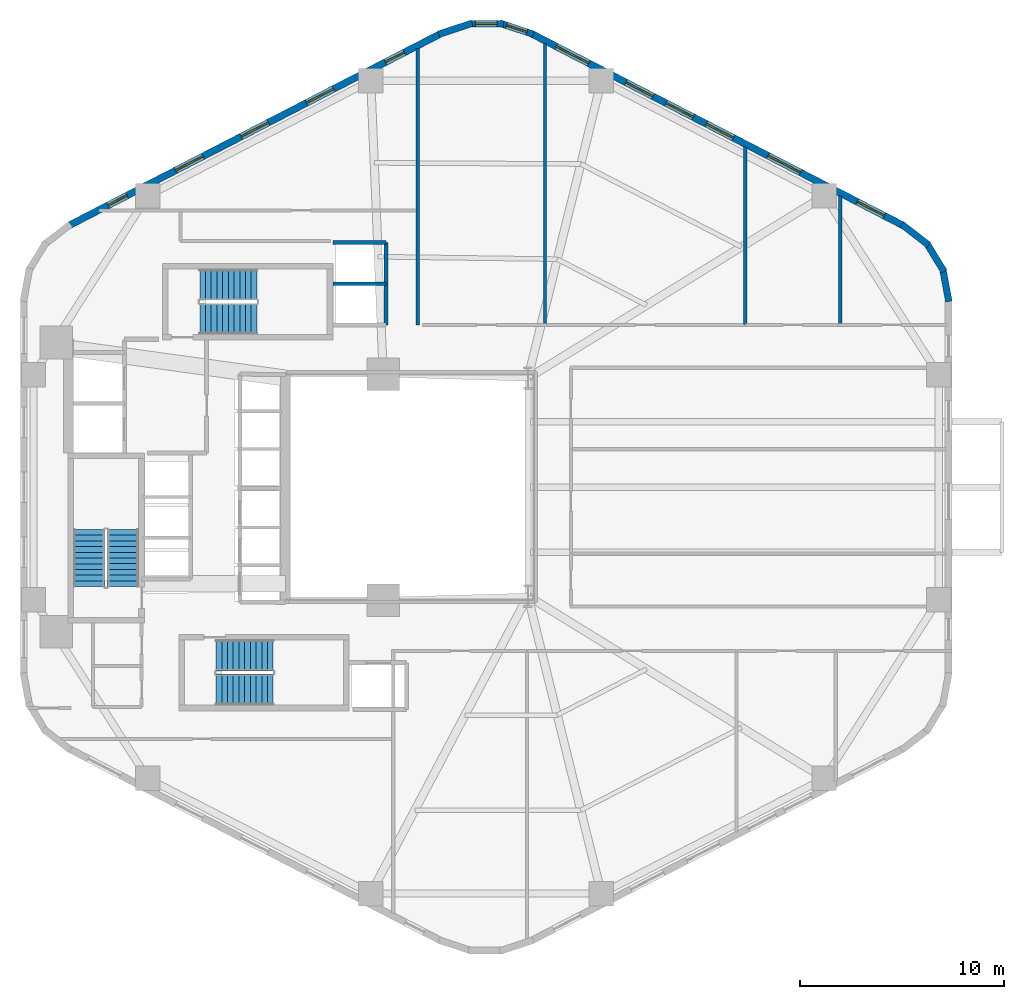
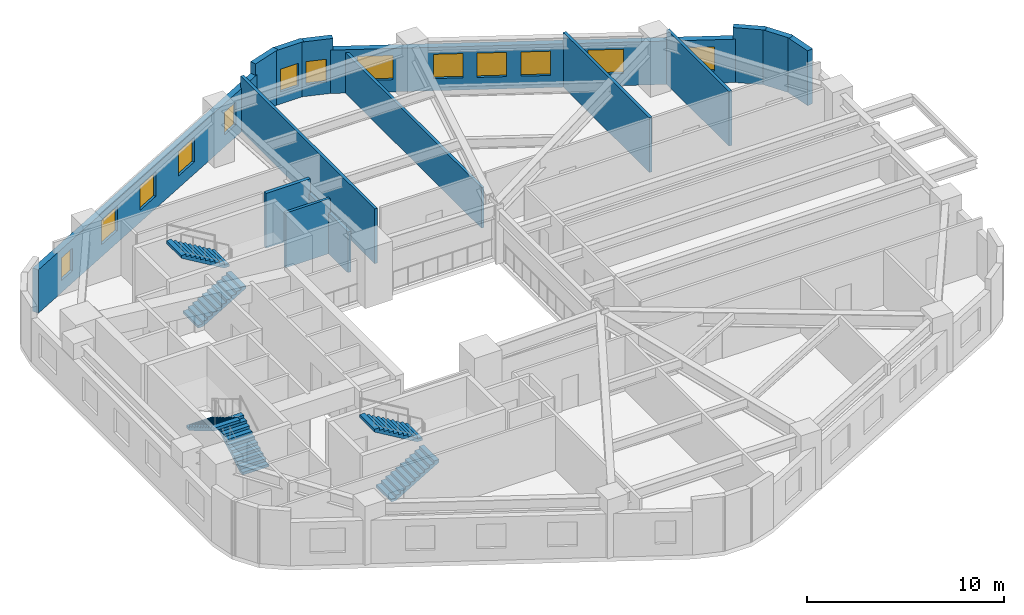
# One storey, part 5 of 6: 15 walls, 13 windows, 6 stair flights, 13 openings, 3 elements without a shape of their own.
"""IFC4 building model written with IfcOpenShell, lengths in metres."""

from ifc_helpers import new_model, si_unit, direction, frame, frame_2d, origin, place, context, subcontext, project, spatial, polyline, rectangle, outline, extrude, material, layer, layer_set, type_object, element, fill, aggregate, save


model = new_model("IFC4")

# Units and contexts
model_context = context("Model", 3, precision=1e-05, world=origin(), true_north=direction((0.0, 1.0)))
body_context = subcontext(model_context, "Body", "Model", "MODEL_VIEW")
ifc_project = project(units=[si_unit("LENGTHUNIT", "METRE"), si_unit("AREAUNIT", "SQUARE_METRE"), si_unit("VOLUMEUNIT", "CUBIC_METRE"), si_unit("PLANEANGLEUNIT", "RADIAN"), si_unit("MASSUNIT", "GRAM", prefix="KILO"), si_unit("THERMODYNAMICTEMPERATUREUNIT", "KELVIN"), si_unit("POWERUNIT", "WATT")], contexts=[model_context])

# Site, building, storey
site_placement = place(None, origin())
site = spatial("IfcSite", under=ifc_project, at=site_placement, CompositionType="ELEMENT")
building_placement = place(site_placement, origin())
building = spatial("IfcBuilding", under=site, at=building_placement, Name="Skarre Station Tower", CompositionType="ELEMENT")
storey_placement = place(building_placement, frame((0.0, 0.0, 67.14990234375)))
storey = spatial("IfcBuildingStorey", under=building, at=storey_placement, Name="L17", CompositionType="ELEMENT", Elevation=67.14990234375)

# Wall, openings, windows
ifc_material_1 = material(Name="Precast concrete C45/55", Category="concrete")
ifc_layer_1 = layer(ifc_material_1, 0.340087890625, Name="Precast concrete C45/55")
ifc_layer_set_1 = layer_set([ifc_layer_1], Name="Precast concrete C45/55")
wall_type_1 = type_object("IfcWallType", Name="Nordic Honed Precast Facet Wall 340", PredefinedType="STANDARD", material=ifc_layer_set_1)
wall_1_placement = place(storey_placement, frame((39.631103515625, 46.257080078125, 0.0), z_axis=(0.0, 0.0, 1.0), x_axis=(0.888634413993, -0.458616264721, 0.0)))
wall_1 = element("IfcWall", 1, at=wall_1_placement, inside=storey, type_object=wall_type_1, Name="L17 Facet 0 Nordic Precast Masonry Wall", PredefinedType="STANDARD", context=body_context, shape_type="SweptSolid", body=[
    extrude(rectangle(XDim=20.53125, YDim=0.340087890625, at=frame_2d((10.265625, 0.0))), origin(), (0.0, 0.0, 1.0), 2.68408203125),
])
opening_1_placement = place(wall_1_placement, frame((1.366943359375, 0.0, 0.75)))
opening_1 = element("IfcOpeningElement", 2, at=opening_1_placement, cuts=wall_1, Name="Opening WN-Z1A", PredefinedType="OPENING", context=body_context, shape_type="SweptSolid", body=[
    extrude(rectangle(XDim=1.800048828125, YDim=1.5, at=frame_2d((0.89990234375, 0.75))), frame((0.0, 0.179931640625, 0.0), z_axis=(0.0, -1.0, 0.0), x_axis=(1.0, 0.0, 0.0)), (0.0, 0.0, 1.0), 0.360107421875),
])
opening_2_placement = place(wall_1_placement, frame((5.20703125, 0.0, 0.75)))
opening_2 = element("IfcOpeningElement", 3, at=opening_2_placement, cuts=wall_1, Name="Opening WN-Z1B", PredefinedType="OPENING", context=body_context, shape_type="SweptSolid", body=[
    extrude(rectangle(XDim=1.5, YDim=1.5, at=frame_2d((0.75, 0.75))), frame((0.0, 0.179931640625, 0.0), z_axis=(0.0, -1.0, 0.0), x_axis=(1.0, 0.0, 0.0)), (0.0, 0.0, 1.0), 0.360107421875),
])
opening_3_placement = place(wall_1_placement, frame((7.428955078125, 0.0, 0.75)))
opening_3 = element("IfcOpeningElement", 4, at=opening_3_placement, cuts=wall_1, Name="Opening WN-Z1B", PredefinedType="OPENING", context=body_context, shape_type="SweptSolid", body=[
    extrude(rectangle(XDim=1.5, YDim=1.5, at=frame_2d((0.75, 0.75))), frame((0.0, 0.179931640625, 0.0), z_axis=(0.0, -1.0, 0.0), x_axis=(1.0, 0.0, 0.0)), (0.0, 0.0, 1.0), 0.360107421875),
])
opening_4_placement = place(wall_1_placement, frame((9.64990234375, 0.0, 0.75)))
opening_4 = element("IfcOpeningElement", 5, at=opening_4_placement, cuts=wall_1, Name="Opening WN-Z1B", PredefinedType="OPENING", context=body_context, shape_type="SweptSolid", body=[
    extrude(rectangle(XDim=1.5, YDim=1.5, at=frame_2d((0.75, 0.75))), frame((0.0, 0.179931640625, 0.0), z_axis=(0.0, -1.0, 0.0), x_axis=(1.0, 0.0, 0.0)), (0.0, 0.0, 1.0), 0.360107421875),
])
opening_5_placement = place(wall_1_placement, frame((13.06005859375, 0.0, 0.75)))
opening_5 = element("IfcOpeningElement", 6, at=opening_5_placement, cuts=wall_1, Name="Opening WN-Z1A", PredefinedType="OPENING", context=body_context, shape_type="SweptSolid", body=[
    extrude(rectangle(XDim=1.800048828125, YDim=1.5, at=frame_2d((0.89990234375, 0.75))), frame((0.0, 0.179931640625, 0.0), z_axis=(0.0, -1.0, 0.0), x_axis=(1.0, 0.0, 0.0)), (0.0, 0.0, 1.0), 0.360107421875),
])
opening_6_placement = place(wall_1_placement, frame((17.97998046875, 0.0, 0.75)))
opening_6 = element("IfcOpeningElement", 7, at=opening_6_placement, cuts=wall_1, Name="Opening WN-Z1B", PredefinedType="OPENING", context=body_context, shape_type="SweptSolid", body=[
    extrude(rectangle(XDim=1.5, YDim=1.5, at=frame_2d((0.75, 0.75))), frame((0.0, 0.179931640625, 0.0), z_axis=(0.0, -1.0, 0.0), x_axis=(1.0, 0.0, 0.0)), (0.0, 0.0, 1.0), 0.360107421875),
])
ifc_material_2 = material(Name="Low-Iron Triple Glazing with Bronze Anodized Frame", Category="glass")
window_type_1 = type_object("IfcWindowType", Name="Nordic Punched Triple-Glazed Window 1500x1500", PartitioningType="SINGLE_PANEL", PredefinedType="WINDOW", material=ifc_material_2)
window_1_placement = place(opening_2_placement, origin())
window_1 = element("IfcWindow", 8, at=window_1_placement, inside=storey, type_object=window_type_1, Name="L17 Facade Window WL-FAC-L17-F0-2", OverallHeight=1.5, OverallWidth=1.5, PartitioningType="SINGLE_PANEL", PredefinedType="WINDOW", context=body_context, shape_type="SweptSolid", body=[
    extrude(rectangle(XDim=1.5, YDim=1.5, at=frame_2d((0.75, 0.75))), frame((0.0, 0.030029296875, 0.0), z_axis=(0.0, -1.0, 0.0), x_axis=(1.0, 0.0, 0.0)), (0.0, 0.0, 1.0), 0.06005859375),
])
fill(opening_2, window_1)
window_2_placement = place(opening_3_placement, origin())
window_2 = element("IfcWindow", 9, at=window_2_placement, inside=storey, type_object=window_type_1, Name="L17 Facade Window WL-FAC-L17-F0-3", OverallHeight=1.5, OverallWidth=1.5, PartitioningType="SINGLE_PANEL", PredefinedType="WINDOW", context=body_context, shape_type="SweptSolid", body=[
    extrude(rectangle(XDim=1.5, YDim=1.5, at=frame_2d((0.75, 0.75))), frame((0.0, 0.030029296875, 0.0), z_axis=(0.0, -1.0, 0.0), x_axis=(1.0, 0.0, 0.0)), (0.0, 0.0, 1.0), 0.06005859375),
])
fill(opening_3, window_2)
window_3_placement = place(opening_4_placement, origin())
window_3 = element("IfcWindow", 10, at=window_3_placement, inside=storey, type_object=window_type_1, Name="L17 Facade Window WL-FAC-L17-F0-4", OverallHeight=1.5, OverallWidth=1.5, PartitioningType="SINGLE_PANEL", PredefinedType="WINDOW", context=body_context, shape_type="SweptSolid", body=[
    extrude(rectangle(XDim=1.5, YDim=1.5, at=frame_2d((0.75, 0.75))), frame((0.0, 0.030029296875, 0.0), z_axis=(0.0, -1.0, 0.0), x_axis=(1.0, 0.0, 0.0)), (0.0, 0.0, 1.0), 0.06005859375),
])
fill(opening_4, window_3)
window_4_placement = place(opening_6_placement, origin())
window_4 = element("IfcWindow", 11, at=window_4_placement, inside=storey, type_object=window_type_1, Name="L17 Facade Window WL-FAC-L17-F0-6", OverallHeight=1.5, OverallWidth=1.5, PartitioningType="SINGLE_PANEL", PredefinedType="WINDOW", context=body_context, shape_type="SweptSolid", body=[
    extrude(rectangle(XDim=1.5, YDim=1.5, at=frame_2d((0.75, 0.75))), frame((0.0, 0.030029296875, 0.0), z_axis=(0.0, -1.0, 0.0), x_axis=(1.0, 0.0, 0.0)), (0.0, 0.0, 1.0), 0.06005859375),
])
fill(opening_6, window_4)
window_type_2 = type_object("IfcWindowType", Name="Nordic Punched Triple-Glazed Window 1800x1500", PartitioningType="SINGLE_PANEL", PredefinedType="WINDOW", material=ifc_material_2)
window_5_placement = place(opening_1_placement, origin())
window_5 = element("IfcWindow", 12, at=window_5_placement, inside=storey, type_object=window_type_2, Name="L17 Facade Window WL-FAC-L17-F0-1", OverallHeight=1.5, OverallWidth=1.800048828125, PartitioningType="SINGLE_PANEL", PredefinedType="WINDOW", context=body_context, shape_type="SweptSolid", body=[
    extrude(rectangle(XDim=1.800048828125, YDim=1.5, at=frame_2d((0.89990234375, 0.75))), frame((0.0, 0.030029296875, 0.0), z_axis=(0.0, -1.0, 0.0), x_axis=(1.0, 0.0, 0.0)), (0.0, 0.0, 1.0), 0.06005859375),
])
fill(opening_1, window_5)
window_6_placement = place(opening_5_placement, origin())
window_6 = element("IfcWindow", 13, at=window_6_placement, inside=storey, type_object=window_type_2, Name="L17 Facade Window WL-FAC-L17-F0-5", OverallHeight=1.5, OverallWidth=1.800048828125, PartitioningType="SINGLE_PANEL", PredefinedType="WINDOW", context=body_context, shape_type="SweptSolid", body=[
    extrude(rectangle(XDim=1.800048828125, YDim=1.5, at=frame_2d((0.89990234375, 0.75))), frame((0.0, 0.030029296875, 0.0), z_axis=(0.0, -1.0, 0.0), x_axis=(1.0, 0.0, 0.0)), (0.0, 0.0, 1.0), 0.06005859375),
])
fill(opening_5, window_6)

wall_2_placement = place(storey_placement, frame((16.924072265625, 36.841064453125, 0.0), z_axis=(0.0, 0.0, 1.0), x_axis=(0.888634413993, 0.458616264721, 0.0)))
wall_2 = element("IfcWall", 14, at=wall_2_placement, inside=storey, type_object=wall_type_1, Name="L17 Facet 1 Nordic Precast Masonry Wall", PredefinedType="STANDARD", context=body_context, shape_type="SweptSolid", body=[
    extrude(rectangle(XDim=20.53125, YDim=0.340087890625, at=frame_2d((10.265625, 0.0))), origin(), (0.0, 0.0, 1.0), 2.68408203125),
])
opening_7_placement = place(wall_2_placement, frame((2.160888671875, 0.0, 0.75)))
opening_7 = element("IfcOpeningElement", 15, at=opening_7_placement, cuts=wall_2, Name="Opening WN-SLT", PredefinedType="OPENING", context=body_context, shape_type="SweptSolid", body=[
    extrude(rectangle(XDim=1.050048828125, YDim=1.39990234375, at=frame_2d((0.52490234375, 0.699951171875))), frame((0.0, 0.179931640625, 0.0), z_axis=(0.0, -1.0, 0.0), x_axis=(1.0, 0.0, 0.0)), (0.0, 0.0, 1.0), 0.360107421875),
])
opening_8_placement = place(wall_2_placement, frame((5.903076171875, 0.0, 0.75)))
opening_8 = element("IfcOpeningElement", 16, at=opening_8_placement, cuts=wall_2, Name="Opening WN-Z1B", PredefinedType="OPENING", context=body_context, shape_type="SweptSolid", body=[
    extrude(rectangle(XDim=1.5, YDim=1.5, at=frame_2d((0.75, 0.75))), frame((0.0, 0.179931640625, 0.0), z_axis=(0.0, -1.0, 0.0), x_axis=(1.0, 0.0, 0.0)), (0.0, 0.0, 1.0), 0.360107421875),
])
opening_9_placement = place(wall_2_placement, frame((9.51611328125, 0.0, 0.75)))
opening_9 = element("IfcOpeningElement", 17, at=opening_9_placement, cuts=wall_2, Name="Opening WN-Z1B", PredefinedType="OPENING", context=body_context, shape_type="SweptSolid", body=[
    extrude(rectangle(XDim=1.5, YDim=1.5, at=frame_2d((0.75, 0.75))), frame((0.0, 0.179931640625, 0.0), z_axis=(0.0, -1.0, 0.0), x_axis=(1.0, 0.0, 0.0)), (0.0, 0.0, 1.0), 0.360107421875),
])
opening_10_placement = place(wall_2_placement, frame((13.12890625, 0.0, 0.75)))
opening_10 = element("IfcOpeningElement", 18, at=opening_10_placement, cuts=wall_2, Name="Opening WN-Z1B", PredefinedType="OPENING", context=body_context, shape_type="SweptSolid", body=[
    extrude(rectangle(XDim=1.5, YDim=1.5, at=frame_2d((0.75, 0.75))), frame((0.0, 0.179931640625, 0.0), z_axis=(0.0, -1.0, 0.0), x_axis=(1.0, 0.0, 0.0)), (0.0, 0.0, 1.0), 0.360107421875),
])
opening_11_placement = place(wall_2_placement, frame((17.47607421875, 0.0, 0.75)))
opening_11 = element("IfcOpeningElement", 19, at=opening_11_placement, cuts=wall_2, Name="Opening WN-SLT", PredefinedType="OPENING", context=body_context, shape_type="SweptSolid", body=[
    extrude(rectangle(XDim=1.050048828125, YDim=1.39990234375, at=frame_2d((0.52490234375, 0.699951171875))), frame((0.0, 0.179931640625, 0.0), z_axis=(0.0, -1.0, 0.0), x_axis=(1.0, 0.0, 0.0)), (0.0, 0.0, 1.0), 0.360107421875),
])
window_type_3 = type_object("IfcWindowType", Name="Nordic Corner Slot Window 1050x1400", PartitioningType="SINGLE_PANEL", PredefinedType="WINDOW", material=ifc_material_2)
window_7_placement = place(opening_7_placement, origin())
window_7 = element("IfcWindow", 20, at=window_7_placement, inside=storey, type_object=window_type_3, Name="L17 Facade Window WL-FAC-L17-F1-1", OverallHeight=1.39990234375, OverallWidth=1.050048828125, PartitioningType="SINGLE_PANEL", PredefinedType="WINDOW", context=body_context, shape_type="SweptSolid", body=[
    extrude(rectangle(XDim=1.050048828125, YDim=1.39990234375, at=frame_2d((0.52490234375, 0.699951171875))), frame((0.0, 0.030029296875, 0.0), z_axis=(0.0, -1.0, 0.0), x_axis=(1.0, 0.0, 0.0)), (0.0, 0.0, 1.0), 0.06005859375),
])
fill(opening_7, window_7)
window_8_placement = place(opening_11_placement, origin())
window_8 = element("IfcWindow", 21, at=window_8_placement, inside=storey, type_object=window_type_3, Name="L17 Facade Window WL-FAC-L17-F1-5", OverallHeight=1.39990234375, OverallWidth=1.050048828125, PartitioningType="SINGLE_PANEL", PredefinedType="WINDOW", context=body_context, shape_type="SweptSolid", body=[
    extrude(rectangle(XDim=1.050048828125, YDim=1.39990234375, at=frame_2d((0.52490234375, 0.699951171875))), frame((0.0, 0.030029296875, 0.0), z_axis=(0.0, -1.0, 0.0), x_axis=(1.0, 0.0, 0.0)), (0.0, 0.0, 1.0), 0.06005859375),
])
fill(opening_11, window_8)
window_9_placement = place(opening_8_placement, origin())
window_9 = element("IfcWindow", 22, at=window_9_placement, inside=storey, type_object=window_type_1, Name="L17 Facade Window WL-FAC-L17-F1-2", OverallHeight=1.5, OverallWidth=1.5, PartitioningType="SINGLE_PANEL", PredefinedType="WINDOW", context=body_context, shape_type="SweptSolid", body=[
    extrude(rectangle(XDim=1.5, YDim=1.5, at=frame_2d((0.75, 0.75))), frame((0.0, 0.030029296875, 0.0), z_axis=(0.0, -1.0, 0.0), x_axis=(1.0, 0.0, 0.0)), (0.0, 0.0, 1.0), 0.06005859375),
])
fill(opening_8, window_9)
window_10_placement = place(opening_9_placement, origin())
window_10 = element("IfcWindow", 23, at=window_10_placement, inside=storey, type_object=window_type_1, Name="L17 Facade Window WL-FAC-L17-F1-3", OverallHeight=1.5, OverallWidth=1.5, PartitioningType="SINGLE_PANEL", PredefinedType="WINDOW", context=body_context, shape_type="SweptSolid", body=[
    extrude(rectangle(XDim=1.5, YDim=1.5, at=frame_2d((0.75, 0.75))), frame((0.0, 0.030029296875, 0.0), z_axis=(0.0, -1.0, 0.0), x_axis=(1.0, 0.0, 0.0)), (0.0, 0.0, 1.0), 0.06005859375),
])
fill(opening_9, window_10)
window_11_placement = place(opening_10_placement, origin())
window_11 = element("IfcWindow", 24, at=window_11_placement, inside=storey, type_object=window_type_1, Name="L17 Facade Window WL-FAC-L17-F1-4", OverallHeight=1.5, OverallWidth=1.5, PartitioningType="SINGLE_PANEL", PredefinedType="WINDOW", context=body_context, shape_type="SweptSolid", body=[
    extrude(rectangle(XDim=1.5, YDim=1.5, at=frame_2d((0.75, 0.75))), frame((0.0, 0.030029296875, 0.0), z_axis=(0.0, -1.0, 0.0), x_axis=(1.0, 0.0, 0.0)), (0.0, 0.0, 1.0), 0.06005859375),
])
fill(opening_10, window_11)

# Walls
ifc_layer_2 = layer(ifc_material_1, 0.330078125, Name="Precast concrete C45/55")
ifc_layer_set_2 = layer_set([ifc_layer_2], Name="Precast concrete C45/55")
wall_type_2 = type_object("IfcWallType", Name="Nordic Rounded Corner Precast Wall 330", PredefinedType="STANDARD", material=ifc_layer_set_2)
wall_3_placement = place(storey_placement, frame((57.802001953125, 36.90087890625, 0.0), z_axis=(0.0, 0.0, 1.0), x_axis=(0.790691856293, -0.61221433207, 0.0)))
element("IfcWall", 25, at=wall_3_placement, inside=storey, type_object=wall_type_2, Name="L17 Rounded Corner Precast Wall F0-1", PredefinedType="STANDARD", context=body_context, shape_type="SweptSolid", body=[
    extrude(rectangle(XDim=1.67578125, YDim=0.330078125, at=frame_2d((0.837890625, 0.0))), origin(), (0.0, 0.0, 1.0), 3.39013671875),
])
wall_4_placement = place(storey_placement, frame((59.001953125, 36.014892578125, 0.0), z_axis=(0.0, 0.0, 1.0), x_axis=(0.520584129191, -0.853810379671, 0.0)))
element("IfcWall", 26, at=wall_4_placement, inside=storey, type_object=wall_type_2, Name="L17 Rounded Corner Precast Wall F0-2", PredefinedType="STANDARD", context=body_context, shape_type="SweptSolid", body=[
    extrude(rectangle(XDim=1.677001953125, YDim=0.330078125, at=frame_2d((0.83837890625, 0.0))), origin(), (0.0, 0.0, 1.0), 3.39013671875),
])
wall_5_placement = place(storey_placement, frame((59.80810546875, 34.758056640625, 0.0), z_axis=(0.0, 0.0, 1.0), x_axis=(0.181714143354, -0.983351397063, 0.0)))
element("IfcWall", 27, at=wall_5_placement, inside=storey, type_object=wall_type_2, Name="L17 Rounded Corner Precast Wall F0-3", PredefinedType="STANDARD", context=body_context, shape_type="SweptSolid", body=[
    extrude(rectangle(XDim=1.677978515625, YDim=0.330078125, at=frame_2d((0.8388671875, 0.0))), origin(), (0.0, 0.0, 1.0), 3.39013671875),
])
wall_6_placement = place(storey_placement, frame((35.0810546875, 46.23095703125, 0.0), z_axis=(0.0, 0.0, 1.0), x_axis=(0.94976901097, 0.312951794691, 0.0)))
element("IfcWall", 28, at=wall_6_placement, inside=storey, type_object=wall_type_2, Name="L17 Rounded Corner Precast Wall F1-1", PredefinedType="STANDARD", context=body_context, shape_type="SweptSolid", body=[
    extrude(rectangle(XDim=1.722412109375, YDim=0.330078125, at=frame_2d((0.861328125, 0.0))), origin(), (0.0, 0.0, 1.0), 3.39013671875),
])

# Wall, opening, window
wall_7_placement = place(storey_placement, frame((36.5390625, 46.740966796875, 0.0), z_axis=(0.0, 0.0, 1.0), x_axis=(1.0, 0.0, 0.0)))
wall_7 = element("IfcWall", 29, at=wall_7_placement, inside=storey, type_object=wall_type_2, Name="L17 Rounded Corner Precast Wall F1-2", PredefinedType="STANDARD", context=body_context, shape_type="SweptSolid", body=[
    extrude(rectangle(XDim=1.721923828125, YDim=0.330078125, at=frame_2d((0.86083984375, 0.0))), origin(), (0.0, 0.0, 1.0), 3.39013671875),
])
opening_12_placement = place(wall_7_placement, frame((0.3359375, 0.0, 0.75)))
opening_12 = element("IfcOpeningElement", 30, at=opening_12_placement, cuts=wall_7, Name="Opening WN-SLT", PredefinedType="OPENING", context=body_context, shape_type="SweptSolid", body=[
    extrude(rectangle(XDim=1.050048828125, YDim=1.39990234375, at=frame_2d((0.52490234375, 0.699951171875))), frame((0.0, 0.175048828125, 0.0), z_axis=(0.0, -1.0, 0.0), x_axis=(1.0, 0.0, 0.0)), (0.0, 0.0, 1.0), 0.35009765625),
])
window_12_placement = place(opening_12_placement, origin())
window_12 = element("IfcWindow", 31, at=window_12_placement, inside=storey, type_object=window_type_3, Name="L17 Apex Corner Slot Window F1-2", OverallHeight=1.39990234375, OverallWidth=1.050048828125, PartitioningType="SINGLE_PANEL", PredefinedType="WINDOW", context=body_context, shape_type="SweptSolid", body=[
    extrude(rectangle(XDim=1.050048828125, YDim=1.39990234375, at=frame_2d((0.52490234375, 0.699951171875))), frame((0.0, 0.030029296875, 0.0), z_axis=(0.0, -1.0, 0.0), x_axis=(1.0, 0.0, 0.0)), (0.0, 0.0, 1.0), 0.06005859375),
])
fill(opening_12, window_12)

wall_8_placement = place(storey_placement, frame((38.0830078125, 46.77001953125, 0.0), z_axis=(0.0, 0.0, 1.0), x_axis=(0.94976901097, -0.312951794691, 0.0)))
wall_8 = element("IfcWall", 32, at=wall_8_placement, inside=storey, type_object=wall_type_2, Name="L17 Rounded Corner Precast Wall F1-3", PredefinedType="STANDARD", context=body_context, shape_type="SweptSolid", body=[
    extrude(rectangle(XDim=1.722412109375, YDim=0.330078125, at=frame_2d((0.861328125, 0.0))), origin(), (0.0, 0.0, 1.0), 3.39013671875),
])
opening_13_placement = place(wall_8_placement, frame((0.3359375, 0.0, 0.75)))
opening_13 = element("IfcOpeningElement", 33, at=opening_13_placement, cuts=wall_8, Name="Opening WN-SLT", PredefinedType="OPENING", context=body_context, shape_type="SweptSolid", body=[
    extrude(rectangle(XDim=1.050048828125, YDim=1.39990234375, at=frame_2d((0.52490234375, 0.699951171875))), frame((0.0, 0.175048828125, 0.0), z_axis=(0.0, -1.0, 0.0), x_axis=(1.0, 0.0, 0.0)), (0.0, 0.0, 1.0), 0.35009765625),
])
window_13_placement = place(opening_13_placement, origin())
window_13 = element("IfcWindow", 34, at=window_13_placement, inside=storey, type_object=window_type_3, Name="L17 Apex Corner Slot Window F1-3", OverallHeight=1.39990234375, OverallWidth=1.050048828125, PartitioningType="SINGLE_PANEL", PredefinedType="WINDOW", context=body_context, shape_type="SweptSolid", body=[
    extrude(rectangle(XDim=1.050048828125, YDim=1.39990234375, at=frame_2d((0.52490234375, 0.699951171875))), frame((0.0, 0.030029296875, 0.0), z_axis=(0.0, -1.0, 0.0), x_axis=(1.0, 0.0, 0.0)), (0.0, 0.0, 1.0), 0.06005859375),
])
fill(opening_13, window_13)

# Walls
ifc_material_3 = material(Name="Gypsum Concrete Shaft Assembly C30/37", Category="concrete")
ifc_layer_3 = layer(ifc_material_3, 0.199951171875, Name="Gypsum Concrete Shaft Assembly C30/37")
ifc_layer_set_3 = layer_set([ifc_layer_3], Name="Gypsum Concrete Shaft Assembly C30/37")
wall_type_3 = type_object("IfcWallType", Name="Shaft & Core Fire Partition 200", PredefinedType="PARTITIONING", material=ifc_layer_set_3)
wall_9_placement = place(storey_placement, frame((32.47998046875, 31.949951171875, 0.0), z_axis=(0.0, 0.0, 1.0), x_axis=(0.0, 1.0, 0.0)))
element("IfcWall", 35, at=wall_9_placement, inside=storey, type_object=wall_type_3, Name="L17 Interior Partition WL-PT-L17-EX-E", PredefinedType="PARTITIONING", context=body_context, shape_type="SweptSolid", body=[
    extrude(rectangle(XDim=4.050048828125, YDim=0.199951171875, at=frame_2d((2.02490234375, 0.0))), origin(), (0.0, 0.0, 1.0), 2.51318359375),
])
wall_10_placement = place(storey_placement, frame((29.8798828125, 36.0, 0.0), z_axis=(0.0, 0.0, 1.0), x_axis=(1.0, 0.0, 0.0)))
element("IfcWall", 36, at=wall_10_placement, inside=storey, type_object=wall_type_3, Name="L17 Interior Partition WL-PT-L17-EX-N", PredefinedType="PARTITIONING", context=body_context, shape_type="SweptSolid", body=[
    extrude(rectangle(XDim=2.60009765625, YDim=0.199951171875, at=frame_2d((1.300048828125, 0.0))), origin(), (0.0, 0.0, 1.0), 3.39013671875),
])
wall_11_placement = place(storey_placement, frame((29.875, 33.97998046875, 0.0), z_axis=(0.0, 0.0, 1.0), x_axis=(1.0, 0.0, 0.0)))
element("IfcWall", 37, at=wall_11_placement, inside=storey, type_object=wall_type_3, Name="L17 Interior Partition WL-PT-L17-EX-DIV", PredefinedType="PARTITIONING", context=body_context, shape_type="SweptSolid", body=[
    extrude(rectangle(XDim=2.60498046875, YDim=0.159912109375, at=frame_2d((1.302490234375, 0.0))), origin(), (0.0, 0.0, 1.0), 3.39013671875),
])
ifc_material_4 = material(Name="Acoustic Steel-Stud Gypsum Partition", Category="steel")
ifc_layer_4 = layer(ifc_material_4, 0.1650390625, Name="Acoustic Steel-Stud Gypsum Partition")
ifc_layer_set_4 = layer_set([ifc_layer_4], Name="Acoustic Steel-Stud Gypsum Partition")
wall_type_4 = type_object("IfcWallType", Name="Suite Demising Acoustic Partition 165", PredefinedType="PARTITIONING", material=ifc_layer_set_4)
wall_12_placement = place(storey_placement, frame((34.0400390625, 31.9599609375, 0.0), z_axis=(0.0, 0.0, 1.0), x_axis=(0.0, 1.0, 0.0)))
element("IfcWall", 38, at=wall_12_placement, inside=storey, type_object=wall_type_4, Name="L17 Interior Partition WL-PT-L17-NW-WBND", PredefinedType="PARTITIONING", context=body_context, shape_type="SweptSolid", body=[
    extrude(rectangle(XDim=13.5791015625, YDim=0.1650390625, at=frame_2d((6.78955078125, 0.0))), origin(), (0.0, 0.0, 1.0), 3.39013671875),
])
wall_13_placement = place(storey_placement, frame((40.2919921875, 31.969970703125, 0.0), z_axis=(0.0, 0.0, 1.0), x_axis=(0.0, 1.0, 0.0)))
element("IfcWall", 39, at=wall_13_placement, inside=storey, type_object=wall_type_4, Name="L17 Interior Partition WL-PT-L17-NW-P1", PredefinedType="PARTITIONING", context=body_context, shape_type="SweptSolid", body=[
    extrude(rectangle(XDim=13.81103515625, YDim=0.1650390625, at=frame_2d((6.905517578125, 0.0))), origin(), (0.0, 0.0, 1.0), 2.51318359375),
])
wall_14_placement = place(storey_placement, frame((50.126953125, 31.969970703125, 0.0), z_axis=(0.0, 0.0, 1.0), x_axis=(0.0, 1.0, 0.0)))
element("IfcWall", 40, at=wall_14_placement, inside=storey, type_object=wall_type_4, Name="L17 Interior Partition WL-PT-L17-NW-P2", PredefinedType="PARTITIONING", context=body_context, shape_type="SweptSolid", body=[
    extrude(rectangle(XDim=8.735107421875, YDim=0.1650390625, at=frame_2d((4.36767578125, 0.0))), origin(), (0.0, 0.0, 1.0), 3.39013671875),
])
wall_15_placement = place(storey_placement, frame((54.785888671875, 31.969970703125, 0.0), z_axis=(0.0, 0.0, 1.0), x_axis=(0.0, 1.0, 0.0)))
element("IfcWall", 41, at=wall_15_placement, inside=storey, type_object=wall_type_4, Name="L17 Interior Partition WL-PT-L17-NW-P3", PredefinedType="PARTITIONING", context=body_context, shape_type="SweptSolid", body=[
    extrude(rectangle(XDim=6.3310546875, YDim=0.1650390625, at=frame_2d((3.16552734375, 0.0))), origin(), (0.0, 0.0, 1.0), 3.39013671875),
])

# Stair, stair flights
ifc_material_5 = material(Name="Concrete C40/50", Category="concrete")
stair_type_1 = type_object("IfcStairType", Name="Reinforced Concrete Exit Stair ST-1", PredefinedType="HALF_TURN_STAIR", material=ifc_material_5)
stair_1_placement = place(storey_placement, origin())
stair_1 = element("IfcStair", 42, at=stair_1_placement, inside=storey, type_object=stair_type_1, Name="L17 Core Exit Stair ST-1", PredefinedType="HALF_TURN_STAIR")
stair_flight_type_1 = type_object("IfcStairFlightType", Name="Reinforced Concrete Stair Flight ST-1", PredefinedType="STRAIGHT", material=ifc_material_5)
stair_flight_1_placement = place(storey_placement, frame((19.590087890625, 19.1201171875, 0.0), z_axis=(0.0, 0.0, 1.0), x_axis=(0.0, 1.0, 0.0)))
stair_flight_1 = element("IfcStairFlight", 43, at=stair_flight_1_placement, type_object=stair_flight_type_1, Name="ST-1 flight 1", NumberOfRisers=11, NumberOfTreads=10, PredefinedType="STRAIGHT", RiserHeight=0.165909091, TreadLength=0.28, context=body_context, shape_type="SweptSolid", body=[
    extrude(outline(polyline([(0.0, 0.0), (0.0, 0.166015625), (0.280029296875, 0.166015625), (0.280029296875, 0.331787109375), (0.56005859375, 0.331787109375), (0.56005859375, 0.497802734375), (0.840087890625, 0.497802734375), (0.840087890625, 0.66357421875), (1.1201171875, 0.66357421875), (1.1201171875, 0.82958984375), (1.39990234375, 0.82958984375), (1.39990234375, 0.995361328125), (1.679931640625, 0.995361328125), (1.679931640625, 1.161376953125), (1.9599609375, 1.161376953125), (1.9599609375, 1.327392578125), (2.239990234375, 1.327392578125), (2.239990234375, 1.4931640625), (2.52001953125, 1.4931640625), (2.52001953125, 1.6591796875), (2.800048828125, 1.6591796875), (2.800048828125, 1.824951171875), (2.800048828125, 1.48486328125), (0.2939453125, 0.0), (0.0, 0.0)])), frame((0.0, 0.760009765625, 0.0), z_axis=(0.0, -1.0, 0.0), x_axis=(1.0, 0.0, 0.0)), (0.0, 0.0, 1.0), 1.52001953125),
])
stair_flight_2_placement = place(storey_placement, frame((17.909912109375, 21.919921875, 1.8251953125), z_axis=(0.0, 0.0, 1.0), x_axis=(0.0, -1.0, 0.0)))
stair_flight_2 = element("IfcStairFlight", 44, at=stair_flight_2_placement, type_object=stair_flight_type_1, Name="ST-1 flight 2", NumberOfRisers=11, NumberOfTreads=10, PredefinedType="STRAIGHT", RiserHeight=0.165909091, TreadLength=0.28, context=body_context, shape_type="SweptSolid", body=[
    extrude(outline(polyline([(0.0, 0.0), (0.0, 0.166015625), (0.280029296875, 0.166015625), (0.280029296875, 0.331787109375), (0.56005859375, 0.331787109375), (0.56005859375, 0.497802734375), (0.840087890625, 0.497802734375), (0.840087890625, 0.66357421875), (1.1201171875, 0.66357421875), (1.1201171875, 0.82958984375), (1.39990234375, 0.82958984375), (1.39990234375, 0.995361328125), (1.679931640625, 0.995361328125), (1.679931640625, 1.161376953125), (1.9599609375, 1.161376953125), (1.9599609375, 1.327392578125), (2.239990234375, 1.327392578125), (2.239990234375, 1.4931640625), (2.52001953125, 1.4931640625), (2.52001953125, 1.6591796875), (2.800048828125, 1.6591796875), (2.800048828125, 1.824951171875), (2.800048828125, 1.48486328125), (0.2939453125, 0.0), (0.0, 0.0)])), frame((0.0, 0.760009765625, 0.0), z_axis=(0.0, -1.0, 0.0), x_axis=(1.0, 0.0, 0.0)), (0.0, 0.0, 1.0), 1.52001953125),
])
aggregate(stair_1, [stair_flight_1, stair_flight_2])

stair_type_2 = type_object("IfcStairType", Name="Reinforced Concrete Exit Stair ST-2", PredefinedType="HALF_TURN_STAIR", material=ifc_material_5)
stair_2_placement = place(storey_placement, origin())
stair_2 = element("IfcStair", 45, at=stair_2_placement, inside=storey, type_object=stair_type_2, Name="L17 Core Exit Stair ST-2", PredefinedType="HALF_TURN_STAIR")
stair_flight_type_2 = type_object("IfcStairFlightType", Name="Reinforced Concrete Stair Flight ST-2", PredefinedType="STRAIGHT", material=ifc_material_5)
stair_flight_3_placement = place(storey_placement, frame((24.14990234375, 14.06005859375, 0.0), z_axis=(0.0, 0.0, 1.0), x_axis=(1.0, 0.0, 0.0)))
stair_flight_3 = element("IfcStairFlight", 46, at=stair_flight_3_placement, type_object=stair_flight_type_2, Name="ST-2 flight 1", NumberOfRisers=11, NumberOfTreads=10, PredefinedType="STRAIGHT", RiserHeight=0.165909091, TreadLength=0.28, context=body_context, shape_type="SweptSolid", body=[
    extrude(outline(polyline([(0.0, 0.0), (0.0, 0.166015625), (0.280029296875, 0.166015625), (0.280029296875, 0.331787109375), (0.56005859375, 0.331787109375), (0.56005859375, 0.497802734375), (0.840087890625, 0.497802734375), (0.840087890625, 0.66357421875), (1.1201171875, 0.66357421875), (1.1201171875, 0.82958984375), (1.39990234375, 0.82958984375), (1.39990234375, 0.995361328125), (1.679931640625, 0.995361328125), (1.679931640625, 1.161376953125), (1.9599609375, 1.161376953125), (1.9599609375, 1.327392578125), (2.239990234375, 1.327392578125), (2.239990234375, 1.4931640625), (2.52001953125, 1.4931640625), (2.52001953125, 1.6591796875), (2.800048828125, 1.6591796875), (2.800048828125, 1.824951171875), (2.800048828125, 1.48486328125), (0.2939453125, 0.0), (0.0, 0.0)])), frame((0.0, 0.760009765625, 0.0), z_axis=(0.0, -1.0, 0.0), x_axis=(1.0, 0.0, 0.0)), (0.0, 0.0, 1.0), 1.52001953125),
])
stair_flight_4_placement = place(storey_placement, frame((26.949951171875, 15.739990234375, 1.8251953125), z_axis=(0.0, 0.0, 1.0), x_axis=(-1.0, 0.0, 0.0)))
stair_flight_4 = element("IfcStairFlight", 47, at=stair_flight_4_placement, type_object=stair_flight_type_2, Name="ST-2 flight 2", NumberOfRisers=11, NumberOfTreads=10, PredefinedType="STRAIGHT", RiserHeight=0.165909091, TreadLength=0.28, context=body_context, shape_type="SweptSolid", body=[
    extrude(outline(polyline([(0.0, 0.0), (0.0, 0.166015625), (0.280029296875, 0.166015625), (0.280029296875, 0.331787109375), (0.56005859375, 0.331787109375), (0.56005859375, 0.497802734375), (0.840087890625, 0.497802734375), (0.840087890625, 0.66357421875), (1.1201171875, 0.66357421875), (1.1201171875, 0.82958984375), (1.39990234375, 0.82958984375), (1.39990234375, 0.995361328125), (1.679931640625, 0.995361328125), (1.679931640625, 1.161376953125), (1.9599609375, 1.161376953125), (1.9599609375, 1.327392578125), (2.239990234375, 1.327392578125), (2.239990234375, 1.4931640625), (2.52001953125, 1.4931640625), (2.52001953125, 1.6591796875), (2.800048828125, 1.6591796875), (2.800048828125, 1.824951171875), (2.800048828125, 1.48486328125), (0.2939453125, 0.0), (0.0, 0.0)])), frame((0.0, 0.760009765625, 0.0), z_axis=(0.0, -1.0, 0.0), x_axis=(1.0, 0.0, 0.0)), (0.0, 0.0, 1.0), 1.52001953125),
])
aggregate(stair_2, [stair_flight_3, stair_flight_4])

stair_type_3 = type_object("IfcStairType", Name="Reinforced Concrete Exit Stair ST-3", PredefinedType="HALF_TURN_STAIR", material=ifc_material_5)
stair_3_placement = place(storey_placement, origin())
stair_3 = element("IfcStair", 48, at=stair_3_placement, inside=storey, type_object=stair_type_3, Name="L17 Core Exit Stair ST-3", PredefinedType="HALF_TURN_STAIR")
stair_flight_type_3 = type_object("IfcStairFlightType", Name="Reinforced Concrete Stair Flight ST-3", PredefinedType="STRAIGHT", material=ifc_material_5)
stair_flight_5_placement = place(storey_placement, frame((23.35009765625, 32.260009765625, 0.0), z_axis=(0.0, 0.0, 1.0), x_axis=(1.0, 0.0, 0.0)))
stair_flight_5 = element("IfcStairFlight", 49, at=stair_flight_5_placement, type_object=stair_flight_type_3, Name="ST-3 flight 1", NumberOfRisers=11, NumberOfTreads=10, PredefinedType="STRAIGHT", RiserHeight=0.165909091, TreadLength=0.28, context=body_context, shape_type="SweptSolid", body=[
    extrude(outline(polyline([(0.0, 0.0), (0.0, 0.166015625), (0.280029296875, 0.166015625), (0.280029296875, 0.331787109375), (0.56005859375, 0.331787109375), (0.56005859375, 0.497802734375), (0.840087890625, 0.497802734375), (0.840087890625, 0.66357421875), (1.1201171875, 0.66357421875), (1.1201171875, 0.82958984375), (1.39990234375, 0.82958984375), (1.39990234375, 0.995361328125), (1.679931640625, 0.995361328125), (1.679931640625, 1.161376953125), (1.9599609375, 1.161376953125), (1.9599609375, 1.327392578125), (2.239990234375, 1.327392578125), (2.239990234375, 1.4931640625), (2.52001953125, 1.4931640625), (2.52001953125, 1.6591796875), (2.800048828125, 1.6591796875), (2.800048828125, 1.824951171875), (2.800048828125, 1.48486328125), (0.2939453125, 0.0), (0.0, 0.0)])), frame((0.0, 0.760009765625, 0.0), z_axis=(0.0, -1.0, 0.0), x_axis=(1.0, 0.0, 0.0)), (0.0, 0.0, 1.0), 1.52001953125),
])
stair_flight_6_placement = place(storey_placement, frame((26.14990234375, 33.93994140625, 1.8251953125), z_axis=(0.0, 0.0, 1.0), x_axis=(-1.0, 0.0, 0.0)))
stair_flight_6 = element("IfcStairFlight", 50, at=stair_flight_6_placement, type_object=stair_flight_type_3, Name="ST-3 flight 2", NumberOfRisers=11, NumberOfTreads=10, PredefinedType="STRAIGHT", RiserHeight=0.165909091, TreadLength=0.28, context=body_context, shape_type="SweptSolid", body=[
    extrude(outline(polyline([(0.0, 0.0), (0.0, 0.166015625), (0.280029296875, 0.166015625), (0.280029296875, 0.331787109375), (0.56005859375, 0.331787109375), (0.56005859375, 0.497802734375), (0.840087890625, 0.497802734375), (0.840087890625, 0.66357421875), (1.1201171875, 0.66357421875), (1.1201171875, 0.82958984375), (1.39990234375, 0.82958984375), (1.39990234375, 0.995361328125), (1.679931640625, 0.995361328125), (1.679931640625, 1.161376953125), (1.9599609375, 1.161376953125), (1.9599609375, 1.327392578125), (2.239990234375, 1.327392578125), (2.239990234375, 1.4931640625), (2.52001953125, 1.4931640625), (2.52001953125, 1.6591796875), (2.800048828125, 1.6591796875), (2.800048828125, 1.824951171875), (2.800048828125, 1.48486328125), (0.2939453125, 0.0), (0.0, 0.0)])), frame((0.0, 0.760009765625, 0.0), z_axis=(0.0, -1.0, 0.0), x_axis=(1.0, 0.0, 0.0)), (0.0, 0.0, 1.0), 1.52001953125),
])
aggregate(stair_3, [stair_flight_5, stair_flight_6])

save(model, "model.ifc")
